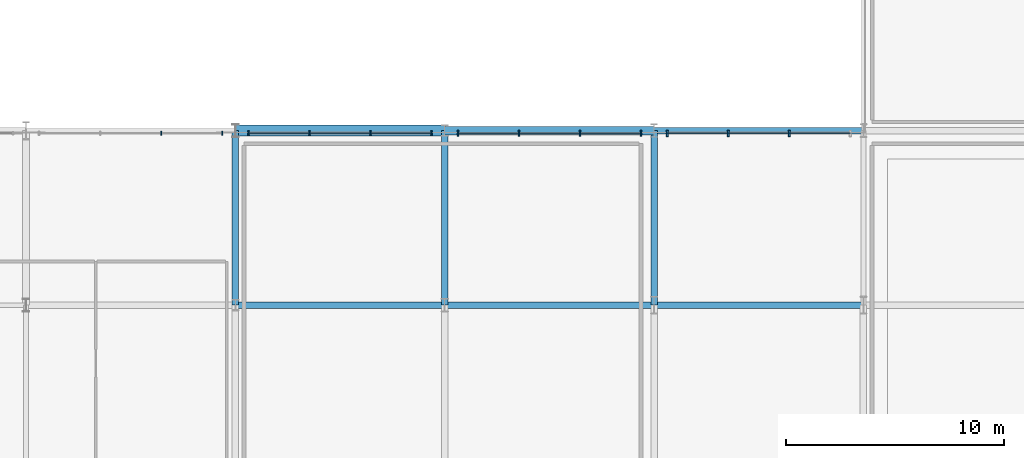
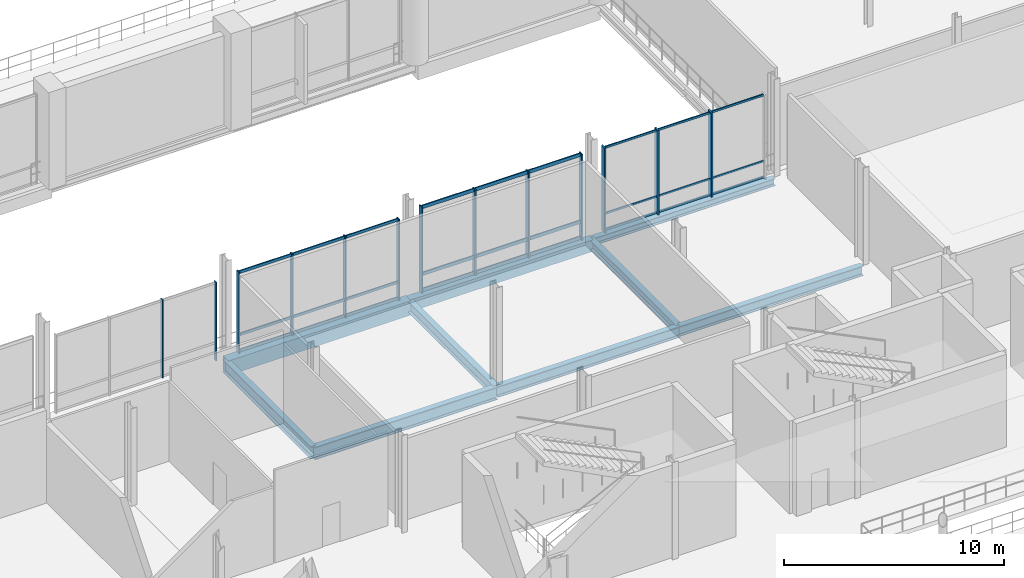
# One storey, part 42 of 129: 22 members, 9 beams, 4 elements without a shape of their own.
"""IFC4 building model written with IfcOpenShell, lengths in metres."""

from ifc_helpers import new_model, si_unit, direction, frame, origin, origin_2d, place, context, subcontext, project, spatial, rectangle, i_section, extrude, material, material_profile, profile_set, type_object, element, aggregate, save


model = new_model("IFC4")

# Units and contexts
model_context = context("Model", 3, precision=1e-05, world=origin(), true_north=direction((0.0, 1.0)))
body_context = subcontext(model_context, "Body", "Model", "MODEL_VIEW")
ifc_project = project(units=[si_unit("LENGTHUNIT", "METRE"), si_unit("AREAUNIT", "SQUARE_METRE"), si_unit("VOLUMEUNIT", "CUBIC_METRE"), si_unit("PLANEANGLEUNIT", "RADIAN"), si_unit("MASSUNIT", "GRAM", prefix="KILO")], contexts=[model_context])

# Site, building, storey
site_placement = place(None, origin())
site = spatial("IfcSite", under=ifc_project, at=site_placement, CompositionType="ELEMENT")
building_placement = place(site_placement, origin())
building = spatial("IfcBuilding", under=site, at=building_placement, Name="Danafjord Basin Convention Centre", CompositionType="ELEMENT")
storey_placement = place(building_placement, frame((0.0, 0.0, 6.0)))
storey = spatial("IfcBuildingStorey", under=building, at=storey_placement, Name="L01", CompositionType="ELEMENT", Elevation=6.0)

# Beams
ifc_material_1 = material(Name="Steel S355", Category="steel")
ifc_material_profile_1 = material_profile(ifc_material_1, i_section(OverallWidth=0.300048828125, OverallDepth=0.5, WebThickness=0.014404296875, FlangeThickness=0.028076171875, FilletRadius=0.027099609375, at=origin_2d()), Name="HEB 500")
ifc_profile_set_1 = profile_set([ifc_material_profile_1], Name="Steel S355")
beam_type_1 = type_object("IfcBeamType", Name="BEAM-BM-HEB500", PredefinedType="BEAM", material=ifc_profile_set_1)
beam_1_placement = place(storey_placement, frame((86.39990234375, 32.0, -0.47998046875), z_axis=(0.0, 1.0, 0.0), x_axis=(-1.0, 0.0, 0.0)))
element("IfcBeam", 1, at=beam_1_placement, inside=storey, type_object=beam_type_1, Name="L01 transverse girder BM-HEB500", PredefinedType="BEAM", context=body_context, shape_type="SweptSolid", body=[
    extrude(i_section(OverallWidth=0.300048828125, OverallDepth=0.5, WebThickness=0.014404296875, FlangeThickness=0.028076171875, FilletRadius=0.027099609375, at=origin_2d()), origin(), (0.0, 0.0, 1.0), 8.0),
])
ifc_material_profile_2 = material_profile(ifc_material_1, i_section(OverallWidth=0.300048828125, OverallDepth=0.550048828125, WebThickness=0.014892578125, FlangeThickness=0.029052734375, FilletRadius=0.027099609375, at=origin_2d()), Name="HEB 550")
ifc_profile_set_2 = profile_set([ifc_material_profile_2], Name="Steel S355")
beam_type_2 = type_object("IfcBeamType", Name="BEAM-BM-HEB550", PredefinedType="BEAM", material=ifc_profile_set_2)
beam_2_placement = place(storey_placement, frame((86.39990234375, 32.0, -0.5048828125), z_axis=(1.0, 0.0, 0.0), x_axis=(0.0, 1.0, 0.0)))
element("IfcBeam", 2, at=beam_2_placement, inside=storey, type_object=beam_type_2, Name="L01 girder BM-HEB550", PredefinedType="BEAM", context=body_context, shape_type="SweptSolid", body=[
    extrude(i_section(OverallWidth=0.300048828125, OverallDepth=0.550048828125, WebThickness=0.014892578125, FlangeThickness=0.029052734375, FilletRadius=0.027099609375, at=origin_2d()), origin(), (0.0, 0.0, 1.0), 9.60009765625),
])
ifc_material_profile_3 = material_profile(ifc_material_1, i_section(OverallWidth=0.300048828125, OverallDepth=0.60009765625, WebThickness=0.015380859375, FlangeThickness=0.030029296875, FilletRadius=0.027099609375, at=origin_2d()), Name="HEB 600")
ifc_profile_set_3 = profile_set([ifc_material_profile_3], Name="Steel S355")
beam_type_3 = type_object("IfcBeamType", Name="BEAM-BM-HEB600", PredefinedType="BEAM", material=ifc_profile_set_3)
beam_3_placement = place(storey_placement, frame((76.800048828125, 32.0, -0.530029296875), z_axis=(1.0, 0.0, 0.0), x_axis=(0.0, 1.0, 0.0)))
element("IfcBeam", 3, at=beam_3_placement, inside=storey, type_object=beam_type_3, Name="L01 girder BM-HEB600", PredefinedType="BEAM", context=body_context, shape_type="SweptSolid", body=[
    extrude(i_section(OverallWidth=0.300048828125, OverallDepth=0.60009765625, WebThickness=0.015380859375, FlangeThickness=0.030029296875, FilletRadius=0.027099609375, at=origin_2d()), origin(), (0.0, 0.0, 1.0), 9.599853515625),
])
beam_4_placement = place(storey_placement, frame((76.800048828125, 32.0, -0.530029296875), z_axis=(0.0, 1.0, 0.0), x_axis=(-1.0, 0.0, 0.0)))
element("IfcBeam", 4, at=beam_4_placement, inside=storey, type_object=beam_type_3, Name="L01 transverse girder BM-HEB600", PredefinedType="BEAM", context=body_context, shape_type="SweptSolid", body=[
    extrude(i_section(OverallWidth=0.300048828125, OverallDepth=0.60009765625, WebThickness=0.015380859375, FlangeThickness=0.030029296875, FilletRadius=0.027099609375, at=origin_2d()), origin(), (0.0, 0.0, 1.0), 8.0),
])
ifc_material_profile_4 = material_profile(ifc_material_1, i_section(OverallWidth=0.300048828125, OverallDepth=0.699951171875, WebThickness=0.01708984375, FlangeThickness=0.031982421875, FilletRadius=0.027099609375, at=origin_2d()), Name="HEB 700")
ifc_profile_set_4 = profile_set([ifc_material_profile_4], Name="Steel S355")
beam_type_4 = type_object("IfcBeamType", Name="BEAM-BM-HEB700", PredefinedType="BEAM", material=ifc_profile_set_4)
beam_5_placement = place(storey_placement, frame((67.199951171875, 32.0, -0.580078125), z_axis=(1.0, 0.0, 0.0), x_axis=(0.0, 1.0, 0.0)))
element("IfcBeam", 5, at=beam_5_placement, inside=storey, type_object=beam_type_4, Name="L01 girder BM-HEB700", PredefinedType="BEAM", context=body_context, shape_type="SweptSolid", body=[
    extrude(i_section(OverallWidth=0.300048828125, OverallDepth=0.699951171875, WebThickness=0.01708984375, FlangeThickness=0.031982421875, FilletRadius=0.027099609375, at=origin_2d()), origin(), (0.0, 0.0, 1.0), 9.60009765625),
])
beam_6_placement = place(storey_placement, frame((67.199951171875, 32.0, -0.580078125), z_axis=(0.0, 1.0, 0.0), x_axis=(-1.0, 0.0, 0.0)))
element("IfcBeam", 6, at=beam_6_placement, inside=storey, type_object=beam_type_4, Name="L01 transverse girder BM-HEB700", PredefinedType="BEAM", context=body_context, shape_type="SweptSolid", body=[
    extrude(i_section(OverallWidth=0.300048828125, OverallDepth=0.699951171875, WebThickness=0.01708984375, FlangeThickness=0.031982421875, FilletRadius=0.027099609375, at=origin_2d()), origin(), (0.0, 0.0, 1.0), 8.0),
])
ifc_material_profile_5 = material_profile(ifc_material_1, i_section(OverallWidth=0.300048828125, OverallDepth=0.39990234375, WebThickness=0.013427734375, FlangeThickness=0.02392578125, FilletRadius=0.027099609375, at=origin_2d()), Name="HEB 400")
ifc_profile_set_5 = profile_set([ifc_material_profile_5], Name="Steel S355")
beam_type_5 = type_object("IfcBeamType", Name="BEAM-SP-HEB400", PredefinedType="SPANDREL", material=ifc_profile_set_5)
beam_7_placement = place(storey_placement, frame((86.39990234375, 40.0, -0.429931640625), z_axis=(1.0, 0.0, 0.0), x_axis=(0.0, 1.0, 0.0)))
element("IfcBeam", 7, at=beam_7_placement, inside=storey, type_object=beam_type_5, Name="L01 girder SP-HEB400", PredefinedType="SPANDREL", context=body_context, shape_type="SweptSolid", body=[
    extrude(i_section(OverallWidth=0.300048828125, OverallDepth=0.39990234375, WebThickness=0.013427734375, FlangeThickness=0.02392578125, FilletRadius=0.027099609375, at=origin_2d()), origin(), (0.0, 0.0, 1.0), 9.60009765625),
])
ifc_material_2 = material(Name="Precast concrete C45/55", Category="concrete")
ifc_material_profile_6 = material_profile(ifc_material_2, rectangle(XDim=0.39990234375, YDim=0.64990234375, at=origin_2d()), Name="PCB 400x650")
ifc_profile_set_6 = profile_set([ifc_material_profile_6], Name="Precast concrete C45/55")
beam_type_6 = type_object("IfcBeamType", Name="BEAM-SP-PCB650", PredefinedType="SPANDREL", material=ifc_profile_set_6)
beam_8_placement = place(storey_placement, frame((76.800048828125, 40.0, -0.554931640625), z_axis=(1.0, 0.0, 0.0), x_axis=(0.0, 1.0, 0.0)))
element("IfcBeam", 8, at=beam_8_placement, inside=storey, type_object=beam_type_6, Name="L01 girder SP-PCB650", PredefinedType="SPANDREL", context=body_context, shape_type="SweptSolid", body=[
    extrude(rectangle(XDim=0.39990234375, YDim=0.64990234375, at=origin_2d()), origin(), (0.0, 0.0, 1.0), 9.599853515625),
])
ifc_material_profile_7 = material_profile(ifc_material_2, rectangle(XDim=0.5, YDim=0.800048828125, at=origin_2d()), Name="PCB 500x800")
ifc_profile_set_7 = profile_set([ifc_material_profile_7], Name="Precast concrete C45/55")
beam_type_7 = type_object("IfcBeamType", Name="BEAM-SP-PCB800", PredefinedType="SPANDREL", material=ifc_profile_set_7)
beam_9_placement = place(storey_placement, frame((67.199951171875, 40.0, -0.6298828125), z_axis=(1.0, 0.0, 0.0), x_axis=(0.0, 1.0, 0.0)))
element("IfcBeam", 9, at=beam_9_placement, inside=storey, type_object=beam_type_7, Name="L01 girder SP-PCB800", PredefinedType="SPANDREL", context=body_context, shape_type="SweptSolid", body=[
    extrude(rectangle(XDim=0.5, YDim=0.800048828125, at=origin_2d()), origin(), (0.0, 0.0, 1.0), 9.60009765625),
])

# Curtain wall, members
ifc_material_3 = material(Name="Anodised aluminium and triple glazing", Category="aluminium")
curtain_wall_type = type_object("IfcCurtainWallType", Name="CW-CW-TERR", PredefinedType="NOTDEFINED", material=ifc_material_3)
curtain_wall_1_placement = place(storey_placement, origin())
curtain_wall_1 = element("IfcCurtainWall", 10, at=curtain_wall_1_placement, inside=storey, type_object=curtain_wall_type, Name="L01 CW-TERR unitised curtain wall bay 51", PredefinedType="NOTDEFINED")
ifc_material_4 = material(Name="Anodised aluminium EN AW-6060", Category="aluminium")
ifc_material_profile_8 = material_profile(ifc_material_4, rectangle(XDim=0.06005859375, YDim=0.179931640625, at=origin_2d()), Name="MULL 60x180")
ifc_profile_set_8 = profile_set([ifc_material_profile_8], Name="Anodised aluminium EN AW-6060")
member_type_1 = type_object("IfcMemberType", Name="MEM-ML-180", PredefinedType="MULLION", material=ifc_profile_set_8)
member_1_placement = place(storey_placement, frame((66.60009765625, 39.8798828125, -0.02490234375), z_axis=(0.0, 0.0, 1.0), x_axis=(-1.0, 0.0, 0.0)))
member_1 = element("IfcMember", 11, at=member_1_placement, type_object=member_type_1, Name="CW-L01-051 mullion 1", PredefinedType="MULLION", context=body_context, shape_type="SweptSolid", body=[
    extrude(rectangle(XDim=0.06005859375, YDim=0.179931640625, at=origin_2d()), origin(), (0.0, 0.0, 1.0), 4.364990234375),
])
member_2_placement = place(storey_placement, frame((63.800048828125, 39.8798828125, -0.02490234375), z_axis=(0.0, 0.0, 1.0), x_axis=(-1.0, 0.0, 0.0)))
member_2 = element("IfcMember", 12, at=member_2_placement, type_object=member_type_1, Name="CW-L01-051 mullion 2", PredefinedType="MULLION", context=body_context, shape_type="SweptSolid", body=[
    extrude(rectangle(XDim=0.06005859375, YDim=0.179931640625, at=origin_2d()), origin(), (0.0, 0.0, 1.0), 4.364990234375),
])
aggregate(curtain_wall_1, [member_1, member_2])

curtain_wall_2_placement = place(storey_placement, origin())
curtain_wall_2 = element("IfcCurtainWall", 13, at=curtain_wall_2_placement, inside=storey, type_object=curtain_wall_type, Name="L01 CW-TERR unitised curtain wall bay 52", PredefinedType="NOTDEFINED")
ifc_material_profile_9 = material_profile(ifc_material_4, rectangle(XDim=0.06494140625, YDim=0.219970703125, at=origin_2d()), Name="MULL 65x220")
ifc_profile_set_9 = profile_set([ifc_material_profile_9], Name="Anodised aluminium EN AW-6060")
member_type_2 = type_object("IfcMemberType", Name="MEM-ML-220", PredefinedType="MULLION", material=ifc_profile_set_9)
member_3_placement = place(storey_placement, frame((76.199951171875, 39.8798828125, -0.02490234375), z_axis=(0.0, 0.0, 1.0), x_axis=(-1.0, 0.0, 0.0)))
member_3 = element("IfcMember", 14, at=member_3_placement, type_object=member_type_2, Name="CW-L01-052 mullion 1", PredefinedType="MULLION", context=body_context, shape_type="SweptSolid", body=[
    extrude(rectangle(XDim=0.06494140625, YDim=0.219970703125, at=origin_2d()), origin(), (0.0, 0.0, 1.0), 4.514892578125),
])
member_4_placement = place(storey_placement, frame((73.39990234375, 39.8798828125, -0.02490234375), z_axis=(0.0, 0.0, 1.0), x_axis=(-1.0, 0.0, 0.0)))
member_4 = element("IfcMember", 15, at=member_4_placement, type_object=member_type_2, Name="CW-L01-052 mullion 2", PredefinedType="MULLION", context=body_context, shape_type="SweptSolid", body=[
    extrude(rectangle(XDim=0.06494140625, YDim=0.219970703125, at=origin_2d()), origin(), (0.0, 0.0, 1.0), 4.514892578125),
])
member_5_placement = place(storey_placement, frame((70.60009765625, 39.8798828125, -0.02490234375), z_axis=(0.0, 0.0, 1.0), x_axis=(-1.0, 0.0, 0.0)))
member_5 = element("IfcMember", 16, at=member_5_placement, type_object=member_type_2, Name="CW-L01-052 mullion 3", PredefinedType="MULLION", context=body_context, shape_type="SweptSolid", body=[
    extrude(rectangle(XDim=0.06494140625, YDim=0.219970703125, at=origin_2d()), origin(), (0.0, 0.0, 1.0), 4.514892578125),
])
member_6_placement = place(storey_placement, frame((67.800048828125, 39.8798828125, -0.02490234375), z_axis=(0.0, 0.0, 1.0), x_axis=(-1.0, 0.0, 0.0)))
member_6 = element("IfcMember", 17, at=member_6_placement, type_object=member_type_2, Name="CW-L01-052 mullion 4", PredefinedType="MULLION", context=body_context, shape_type="SweptSolid", body=[
    extrude(rectangle(XDim=0.06494140625, YDim=0.219970703125, at=origin_2d()), origin(), (0.0, 0.0, 1.0), 4.514892578125),
])

curtain_wall_3_placement = place(storey_placement, origin())
curtain_wall_3 = element("IfcCurtainWall", 18, at=curtain_wall_3_placement, inside=storey, type_object=curtain_wall_type, Name="L01 CW-TERR unitised curtain wall bay 53", PredefinedType="NOTDEFINED")
ifc_material_profile_10 = material_profile(ifc_material_4, rectangle(XDim=0.070068359375, YDim=0.260009765625, at=origin_2d()), Name="MULL 70x260")
ifc_profile_set_10 = profile_set([ifc_material_profile_10], Name="Anodised aluminium EN AW-6060")
member_type_3 = type_object("IfcMemberType", Name="MEM-ML-260", PredefinedType="MULLION", material=ifc_profile_set_10)
member_7_placement = place(storey_placement, frame((85.800048828125, 39.8798828125, -0.02490234375), z_axis=(0.0, 0.0, 1.0), x_axis=(-1.0, 0.0, 0.0)))
member_7 = element("IfcMember", 19, at=member_7_placement, type_object=member_type_3, Name="CW-L01-053 mullion 1", PredefinedType="MULLION", context=body_context, shape_type="SweptSolid", body=[
    extrude(rectangle(XDim=0.070068359375, YDim=0.260009765625, at=origin_2d()), origin(), (0.0, 0.0, 1.0), 4.764892578125),
])
member_8_placement = place(storey_placement, frame((83.0, 39.8798828125, -0.02490234375), z_axis=(0.0, 0.0, 1.0), x_axis=(-1.0, 0.0, 0.0)))
member_8 = element("IfcMember", 20, at=member_8_placement, type_object=member_type_3, Name="CW-L01-053 mullion 2", PredefinedType="MULLION", context=body_context, shape_type="SweptSolid", body=[
    extrude(rectangle(XDim=0.070068359375, YDim=0.260009765625, at=origin_2d()), origin(), (0.0, 0.0, 1.0), 4.764892578125),
])
member_9_placement = place(storey_placement, frame((80.199951171875, 39.8798828125, -0.02490234375), z_axis=(0.0, 0.0, 1.0), x_axis=(-1.0, 0.0, 0.0)))
member_9 = element("IfcMember", 21, at=member_9_placement, type_object=member_type_3, Name="CW-L01-053 mullion 3", PredefinedType="MULLION", context=body_context, shape_type="SweptSolid", body=[
    extrude(rectangle(XDim=0.070068359375, YDim=0.260009765625, at=origin_2d()), origin(), (0.0, 0.0, 1.0), 4.764892578125),
])
member_10_placement = place(storey_placement, frame((77.39990234375, 39.8798828125, -0.02490234375), z_axis=(0.0, 0.0, 1.0), x_axis=(-1.0, 0.0, 0.0)))
member_10 = element("IfcMember", 22, at=member_10_placement, type_object=member_type_3, Name="CW-L01-053 mullion 4", PredefinedType="MULLION", context=body_context, shape_type="SweptSolid", body=[
    extrude(rectangle(XDim=0.070068359375, YDim=0.260009765625, at=origin_2d()), origin(), (0.0, 0.0, 1.0), 4.764892578125),
])

curtain_wall_4_placement = place(storey_placement, origin())
curtain_wall_4 = element("IfcCurtainWall", 23, at=curtain_wall_4_placement, inside=storey, type_object=curtain_wall_type, Name="L01 CW-TERR unitised curtain wall bay 54", PredefinedType="NOTDEFINED")
ifc_material_profile_11 = material_profile(ifc_material_4, rectangle(XDim=0.080078125, YDim=0.300048828125, at=origin_2d()), Name="MULL 80x300")
ifc_profile_set_11 = profile_set([ifc_material_profile_11], Name="Anodised aluminium EN AW-6060")
member_type_4 = type_object("IfcMemberType", Name="MEM-ML-300", PredefinedType="MULLION", material=ifc_profile_set_11)
member_11_placement = place(storey_placement, frame((92.60009765625, 39.8798828125, -0.02490234375), z_axis=(0.0, 0.0, 1.0), x_axis=(-1.0, 0.0, 0.0)))
member_11 = element("IfcMember", 24, at=member_11_placement, type_object=member_type_4, Name="CW-L01-054 mullion 2", PredefinedType="MULLION", context=body_context, shape_type="SweptSolid", body=[
    extrude(rectangle(XDim=0.080078125, YDim=0.300048828125, at=origin_2d()), origin(), (0.0, 0.0, 1.0), 4.71484375),
])
member_12_placement = place(storey_placement, frame((89.800048828125, 39.8798828125, -0.02490234375), z_axis=(0.0, 0.0, 1.0), x_axis=(-1.0, 0.0, 0.0)))
member_12 = element("IfcMember", 25, at=member_12_placement, type_object=member_type_4, Name="CW-L01-054 mullion 3", PredefinedType="MULLION", context=body_context, shape_type="SweptSolid", body=[
    extrude(rectangle(XDim=0.080078125, YDim=0.300048828125, at=origin_2d()), origin(), (0.0, 0.0, 1.0), 4.71484375),
])
member_13_placement = place(storey_placement, frame((87.0, 39.8798828125, -0.02490234375), z_axis=(0.0, 0.0, 1.0), x_axis=(-1.0, 0.0, 0.0)))
member_13 = element("IfcMember", 26, at=member_13_placement, type_object=member_type_4, Name="CW-L01-054 mullion 4", PredefinedType="MULLION", context=body_context, shape_type="SweptSolid", body=[
    extrude(rectangle(XDim=0.080078125, YDim=0.300048828125, at=origin_2d()), origin(), (0.0, 0.0, 1.0), 4.71484375),
])
ifc_material_profile_12 = material_profile(ifc_material_4, rectangle(XDim=0.06005859375, YDim=0.110107421875, at=origin_2d()), Name="TRAN 60x110")
ifc_profile_set_12 = profile_set([ifc_material_profile_12], Name="Anodised aluminium EN AW-6060")
member_type_5 = type_object("IfcMemberType", Name="MEM-TR-110", PredefinedType="USERDEFINED", material=ifc_profile_set_12)
member_14_placement = place(storey_placement, frame((95.39990234375, 39.8798828125, 0.06005859375), z_axis=(-1.0, 0.0, 0.0), x_axis=(0.0, -1.0, 0.0)))
member_14 = element("IfcMember", 27, at=member_14_placement, type_object=member_type_5, Name="CW-L01-054 transom 1", ObjectType="TRANSOM", PredefinedType="USERDEFINED", context=body_context, shape_type="SweptSolid", body=[
    extrude(rectangle(XDim=0.06005859375, YDim=0.110107421875, at=origin_2d()), origin(), (0.0, 0.0, 1.0), 8.39990234375),
])
member_15_placement = place(storey_placement, frame((95.39990234375, 39.8798828125, 0.949951171875), z_axis=(-1.0, 0.0, 0.0), x_axis=(0.0, -1.0, 0.0)))
member_15 = element("IfcMember", 28, at=member_15_placement, type_object=member_type_5, Name="CW-L01-054 transom 2", ObjectType="TRANSOM", PredefinedType="USERDEFINED", context=body_context, shape_type="SweptSolid", body=[
    extrude(rectangle(XDim=0.06005859375, YDim=0.110107421875, at=origin_2d()), origin(), (0.0, 0.0, 1.0), 8.39990234375),
])
member_16_placement = place(storey_placement, frame((95.39990234375, 39.8798828125, 4.6201171875), z_axis=(-1.0, 0.0, 0.0), x_axis=(0.0, -1.0, 0.0)))
member_16 = element("IfcMember", 29, at=member_16_placement, type_object=member_type_5, Name="CW-L01-054 transom 3", ObjectType="TRANSOM", PredefinedType="USERDEFINED", context=body_context, shape_type="SweptSolid", body=[
    extrude(rectangle(XDim=0.06005859375, YDim=0.110107421875, at=origin_2d()), origin(), (0.0, 0.0, 1.0), 8.39990234375),
])
aggregate(curtain_wall_4, [member_11, member_12, member_13, member_14, member_15, member_16])

# Member
ifc_material_profile_13 = material_profile(ifc_material_4, rectangle(XDim=0.06005859375, YDim=0.14990234375, at=origin_2d()), Name="TRAN 60x150")
ifc_profile_set_13 = profile_set([ifc_material_profile_13], Name="Anodised aluminium EN AW-6060")
member_type_6 = type_object("IfcMemberType", Name="MEM-TR-150", PredefinedType="USERDEFINED", material=ifc_profile_set_13)
member_17_placement = place(storey_placement, frame((76.199951171875, 39.8798828125, 0.06005859375), z_axis=(-1.0, 0.0, 0.0), x_axis=(0.0, -1.0, 0.0)))
member_17 = element("IfcMember", 30, at=member_17_placement, type_object=member_type_6, Name="CW-L01-052 transom 1", ObjectType="TRANSOM", PredefinedType="USERDEFINED", context=body_context, shape_type="SweptSolid", body=[
    extrude(rectangle(XDim=0.06005859375, YDim=0.14990234375, at=origin_2d()), origin(), (0.0, 0.0, 1.0), 8.39990234375),
])

member_18_placement = place(storey_placement, frame((76.199951171875, 39.8798828125, 0.949951171875), z_axis=(-1.0, 0.0, 0.0), x_axis=(0.0, -1.0, 0.0)))
member_18 = element("IfcMember", 31, at=member_18_placement, type_object=member_type_6, Name="CW-L01-052 transom 2", ObjectType="TRANSOM", PredefinedType="USERDEFINED", context=body_context, shape_type="SweptSolid", body=[
    extrude(rectangle(XDim=0.06005859375, YDim=0.14990234375, at=origin_2d()), origin(), (0.0, 0.0, 1.0), 8.39990234375),
])

member_19_placement = place(storey_placement, frame((76.199951171875, 39.8798828125, 4.419921875), z_axis=(-1.0, 0.0, 0.0), x_axis=(0.0, -1.0, 0.0)))
member_19 = element("IfcMember", 32, at=member_19_placement, type_object=member_type_6, Name="CW-L01-052 transom 3", ObjectType="TRANSOM", PredefinedType="USERDEFINED", context=body_context, shape_type="SweptSolid", body=[
    extrude(rectangle(XDim=0.06005859375, YDim=0.14990234375, at=origin_2d()), origin(), (0.0, 0.0, 1.0), 8.39990234375),
])

aggregate(curtain_wall_2, [member_3, member_4, member_5, member_6, member_17, member_18, member_19])

ifc_material_profile_14 = material_profile(ifc_material_4, rectangle(XDim=0.06494140625, YDim=0.18994140625, at=origin_2d()), Name="TRAN 65x190")
ifc_profile_set_14 = profile_set([ifc_material_profile_14], Name="Anodised aluminium EN AW-6060")
member_type_7 = type_object("IfcMemberType", Name="MEM-TR-190", PredefinedType="USERDEFINED", material=ifc_profile_set_14)
member_20_placement = place(storey_placement, frame((85.800048828125, 39.8798828125, 0.06005859375), z_axis=(-1.0, 0.0, 0.0), x_axis=(0.0, -1.0, 0.0)))
member_20 = element("IfcMember", 33, at=member_20_placement, type_object=member_type_7, Name="CW-L01-053 transom 1", ObjectType="TRANSOM", PredefinedType="USERDEFINED", context=body_context, shape_type="SweptSolid", body=[
    extrude(rectangle(XDim=0.06494140625, YDim=0.18994140625, at=origin_2d()), origin(), (0.0, 0.0, 1.0), 8.400146484375),
])

member_21_placement = place(storey_placement, frame((85.800048828125, 39.8798828125, 0.949951171875), z_axis=(-1.0, 0.0, 0.0), x_axis=(0.0, -1.0, 0.0)))
member_21 = element("IfcMember", 34, at=member_21_placement, type_object=member_type_7, Name="CW-L01-053 transom 2", ObjectType="TRANSOM", PredefinedType="USERDEFINED", context=body_context, shape_type="SweptSolid", body=[
    extrude(rectangle(XDim=0.06494140625, YDim=0.18994140625, at=origin_2d()), origin(), (0.0, 0.0, 1.0), 8.400146484375),
])

member_22_placement = place(storey_placement, frame((85.800048828125, 39.8798828125, 4.669921875), z_axis=(-1.0, 0.0, 0.0), x_axis=(0.0, -1.0, 0.0)))
member_22 = element("IfcMember", 35, at=member_22_placement, type_object=member_type_7, Name="CW-L01-053 transom 3", ObjectType="TRANSOM", PredefinedType="USERDEFINED", context=body_context, shape_type="SweptSolid", body=[
    extrude(rectangle(XDim=0.06494140625, YDim=0.18994140625, at=origin_2d()), origin(), (0.0, 0.0, 1.0), 8.400146484375),
])

aggregate(curtain_wall_3, [member_7, member_8, member_9, member_10, member_20, member_21, member_22])

save(model, "model.ifc")
